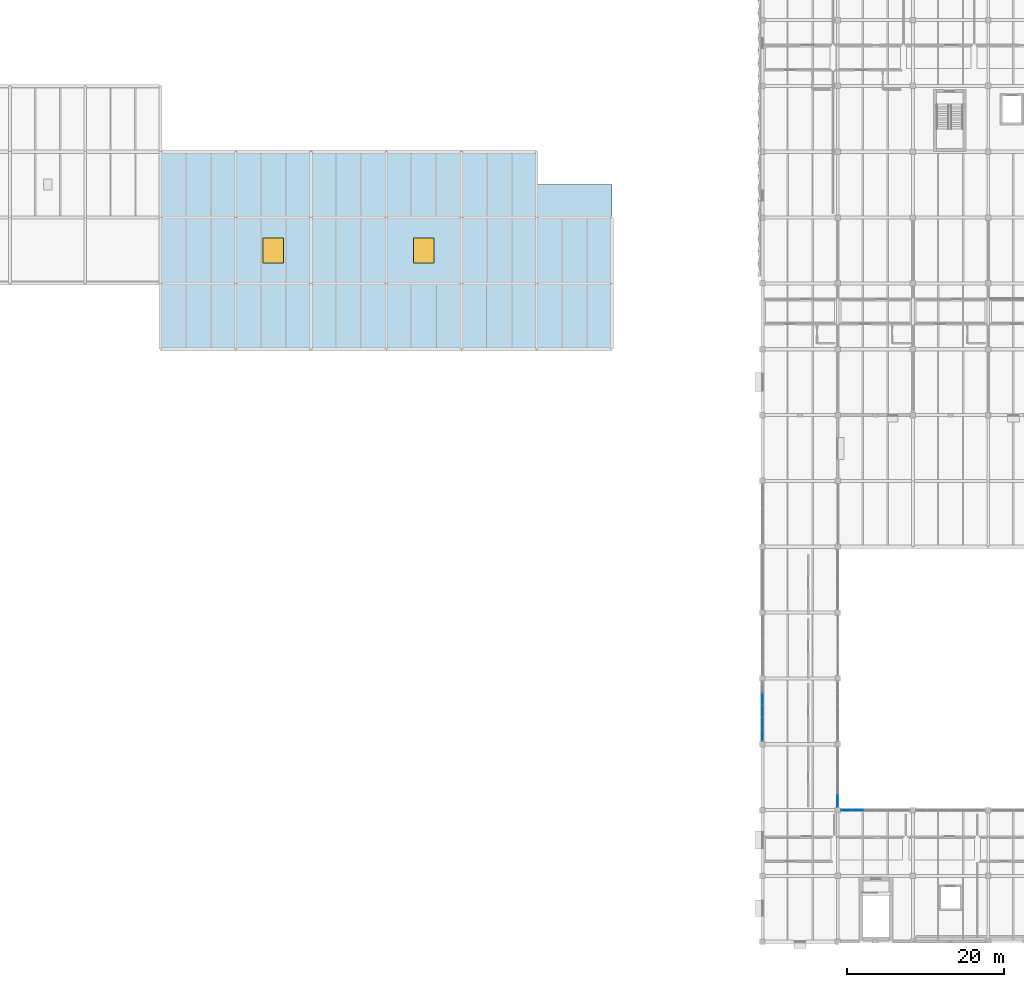
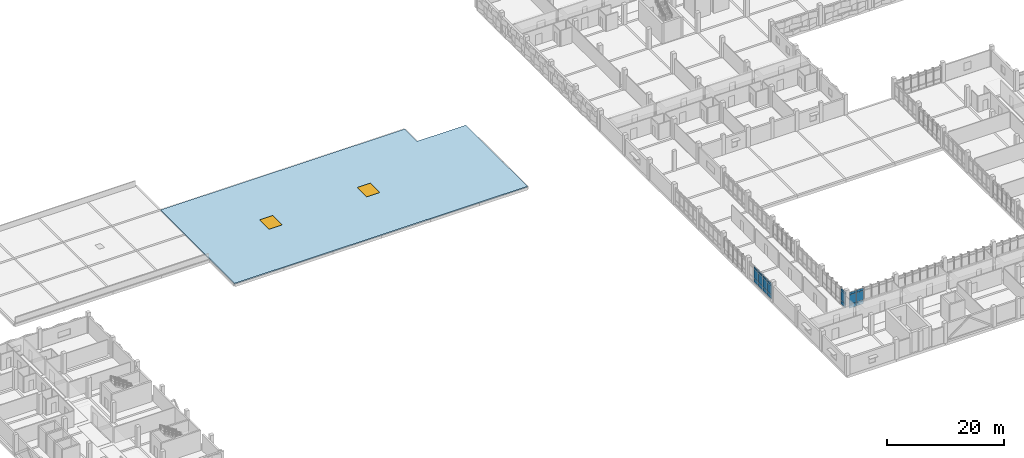
# One storey, part 25 of 57: 21 plates, 2 windows, 1 slab, 2 openings, 4 elements without a shape of their own.
"""IFC4 building model written with IfcOpenShell, lengths in metres."""

from ifc_helpers import new_model, si_unit, direction, frame, origin, origin_2d, place, context, subcontext, project, spatial, polyline, rectangle, outline, extrude, material, layer, layer_set, type_object, element, fill, aggregate, save


model = new_model("IFC4")

# Units and contexts
model_context = context("Model", 3, precision=1e-05, world=origin(), true_north=direction((0.0, 1.0)))
body_context = subcontext(model_context, "Body", "Model", "MODEL_VIEW")
ifc_project = project(units=[si_unit("LENGTHUNIT", "METRE"), si_unit("AREAUNIT", "SQUARE_METRE"), si_unit("VOLUMEUNIT", "CUBIC_METRE"), si_unit("PLANEANGLEUNIT", "RADIAN"), si_unit("MASSUNIT", "GRAM", prefix="KILO")], contexts=[model_context])

# Site, building, storey
site_placement = place(None, origin())
site = spatial("IfcSite", under=ifc_project, at=site_placement, CompositionType="ELEMENT")
building_placement = place(site_placement, origin())
building = spatial("IfcBuilding", under=site, at=building_placement, Name="Oolite Switchyard Hospital", CompositionType="ELEMENT")
storey_placement = place(building_placement, frame((0.0, 0.0, 17.800048828125)))
storey = spatial("IfcBuildingStorey", under=building, at=storey_placement, Name="L04", CompositionType="ELEMENT", Elevation=17.800048828125)

# Curtain wall, plates
ifc_material_1 = material(Name="Thermally broken aluminum frame with laminated impact glazing", Category="aluminium")
curtain_wall_type_1 = type_object("IfcCurtainWallType", Name="CW-UNIT-84X42", PredefinedType="USERDEFINED", material=ifc_material_1)
curtain_wall_1_placement = place(storey_placement, origin())
curtain_wall_1 = element("IfcCurtainWall", 1, at=curtain_wall_1_placement, inside=storey, type_object=curtain_wall_type_1, Name="L04 Unitised Curtain Wall 368", ObjectType="UNITISED", PredefinedType="USERDEFINED")
ifc_material_2 = material(Name="Insulated fluoropolymer-coated aluminum spandrel panel", Category="aluminium")
ifc_layer_1 = layer(ifc_material_2, 0.054931640625)
ifc_layer_set_1 = layer_set([ifc_layer_1], Name="CW-PNL-SPN55")
plate_type_1 = type_object("IfcPlateType", Name="CW-PNL-SPN55", PredefinedType="CURTAIN_PANEL", material=ifc_layer_set_1)
plate_1_placement = place(storey_placement, frame((144.0, 26.346923828125, 0.06005859375), z_axis=(0.0, 0.0, 1.0), x_axis=(0.0, -1.0, 0.0)))
plate_1 = element("IfcPlate", 2, at=plate_1_placement, type_object=plate_type_1, Name="CW-10 panel 5.1", PredefinedType="CURTAIN_PANEL", context=body_context, shape_type="SweptSolid", body=[
    extrude(rectangle(XDim=1.444091796875, YDim=0.054931640625, at=origin_2d()), origin(), (0.0, 0.0, 1.0), 0.760009765625),
])
plate_2_placement = place(storey_placement, frame((144.0, 26.346923828125, 0.8798828125), z_axis=(0.0, 0.0, 1.0), x_axis=(0.0, -1.0, 0.0)))
plate_2 = element("IfcPlate", 3, at=plate_2_placement, type_object=plate_type_1, Name="CW-10 panel 5.2", PredefinedType="CURTAIN_PANEL", context=body_context, shape_type="SweptSolid", body=[
    extrude(rectangle(XDim=1.444091796875, YDim=0.054931640625, at=origin_2d()), origin(), (0.0, 0.0, 1.0), 1.929931640625),
])
plate_3_placement = place(storey_placement, frame((144.0, 26.346923828125, 2.869873046875), z_axis=(0.0, 0.0, 1.0), x_axis=(0.0, -1.0, 0.0)))
plate_3 = element("IfcPlate", 4, at=plate_3_placement, type_object=plate_type_1, Name="CW-10 panel 5.3", PredefinedType="CURTAIN_PANEL", context=body_context, shape_type="SweptSolid", body=[
    extrude(rectangle(XDim=1.444091796875, YDim=0.054931640625, at=origin_2d()), origin(), (0.0, 0.0, 1.0), 0.4599609375),
])
aggregate(curtain_wall_1, [plate_1, plate_2, plate_3])

curtain_wall_type_2 = type_object("IfcCurtainWallType", Name="CW-UNIT-96X42", PredefinedType="USERDEFINED", material=ifc_material_1)
curtain_wall_2_placement = place(storey_placement, origin())
curtain_wall_2 = element("IfcCurtainWall", 5, at=curtain_wall_2_placement, inside=storey, type_object=curtain_wall_type_2, Name="L04 Unitised Curtain Wall 358", ObjectType="UNITISED", PredefinedType="USERDEFINED")
ifc_layer_2 = layer(ifc_material_2, 0.070068359375)
ifc_layer_set_2 = layer_set([ifc_layer_2], Name="CW-PNL-SPN70")
plate_type_2 = type_object("IfcPlateType", Name="CW-PNL-SPN70", PredefinedType="CURTAIN_PANEL", material=ifc_layer_set_2)
plate_4_placement = place(storey_placement, frame((145.122802734375, 25.199951171875, 0.06005859375), z_axis=(0.0, 0.0, 1.0), x_axis=(1.0, 0.0, 0.0)))
plate_4 = element("IfcPlate", 6, at=plate_4_placement, type_object=plate_type_2, Name="CW-05 panel 1.1", PredefinedType="CURTAIN_PANEL", context=body_context, shape_type="SweptSolid", body=[
    extrude(rectangle(XDim=1.36572265625, YDim=0.070068359375, at=origin_2d()), origin(), (0.0, 0.0, 1.0), 0.760009765625),
])
plate_5_placement = place(storey_placement, frame((145.122802734375, 25.199951171875, 0.8798828125), z_axis=(0.0, 0.0, 1.0), x_axis=(1.0, 0.0, 0.0)))
plate_5 = element("IfcPlate", 7, at=plate_5_placement, type_object=plate_type_2, Name="CW-05 panel 1.2", PredefinedType="CURTAIN_PANEL", context=body_context, shape_type="SweptSolid", body=[
    extrude(rectangle(XDim=1.36572265625, YDim=0.070068359375, at=origin_2d()), origin(), (0.0, 0.0, 1.0), 1.929931640625),
])
plate_6_placement = place(storey_placement, frame((145.122802734375, 25.199951171875, 2.869873046875), z_axis=(0.0, 0.0, 1.0), x_axis=(1.0, 0.0, 0.0)))
plate_6 = element("IfcPlate", 8, at=plate_6_placement, type_object=plate_type_2, Name="CW-05 panel 1.3", PredefinedType="CURTAIN_PANEL", context=body_context, shape_type="SweptSolid", body=[
    extrude(rectangle(XDim=1.36572265625, YDim=0.070068359375, at=origin_2d()), origin(), (0.0, 0.0, 1.0), 0.4599609375),
])
plate_7_placement = place(storey_placement, frame((146.58251953125, 25.199951171875, 0.06005859375), z_axis=(0.0, 0.0, 1.0), x_axis=(1.0, 0.0, 0.0)))
plate_7 = element("IfcPlate", 9, at=plate_7_placement, type_object=plate_type_2, Name="CW-05 panel 2.1", PredefinedType="CURTAIN_PANEL", context=body_context, shape_type="SweptSolid", body=[
    extrude(rectangle(XDim=1.4033203125, YDim=0.070068359375, at=origin_2d()), origin(), (0.0, 0.0, 1.0), 0.760009765625),
])
plate_8_placement = place(storey_placement, frame((146.58251953125, 25.199951171875, 0.8798828125), z_axis=(0.0, 0.0, 1.0), x_axis=(1.0, 0.0, 0.0)))
plate_8 = element("IfcPlate", 10, at=plate_8_placement, type_object=plate_type_2, Name="CW-05 panel 2.2", PredefinedType="CURTAIN_PANEL", context=body_context, shape_type="SweptSolid", body=[
    extrude(rectangle(XDim=1.4033203125, YDim=0.070068359375, at=origin_2d()), origin(), (0.0, 0.0, 1.0), 1.929931640625),
])
plate_9_placement = place(storey_placement, frame((146.58251953125, 25.199951171875, 2.869873046875), z_axis=(0.0, 0.0, 1.0), x_axis=(1.0, 0.0, 0.0)))
plate_9 = element("IfcPlate", 11, at=plate_9_placement, type_object=plate_type_2, Name="CW-05 panel 2.3", PredefinedType="CURTAIN_PANEL", context=body_context, shape_type="SweptSolid", body=[
    extrude(rectangle(XDim=1.4033203125, YDim=0.070068359375, at=origin_2d()), origin(), (0.0, 0.0, 1.0), 0.4599609375),
])
aggregate(curtain_wall_2, [plate_4, plate_5, plate_6, plate_7, plate_8, plate_9])

curtain_wall_3_placement = place(storey_placement, origin())
curtain_wall_3 = element("IfcCurtainWall", 12, at=curtain_wall_3_placement, inside=storey, type_object=curtain_wall_type_1, Name="L04 Unitised Curtain Wall 364", ObjectType="UNITISED", PredefinedType="USERDEFINED")
ifc_material_3 = material(Name="Laminated hurricane-impact insulated glazing unit", Category="glass")
ifc_layer_3 = layer(ifc_material_3, 0.0419921875)
ifc_layer_set_3 = layer_set([ifc_layer_3], Name="CW-PNL-VIS42")
plate_type_3 = type_object("IfcPlateType", Name="CW-PNL-VIS42", PredefinedType="CURTAIN_PANEL", material=ifc_layer_set_3)
plate_10_placement = place(storey_placement, frame((134.39990234375, 34.750732421875, 0.06005859375), z_axis=(0.0, 0.0, 1.0), x_axis=(0.0, 1.0, 0.0)))
plate_10 = element("IfcPlate", 13, at=plate_10_placement, type_object=plate_type_3, Name="CW-10 panel 1.1", PredefinedType="CURTAIN_PANEL", context=body_context, shape_type="SweptSolid", body=[
    extrude(rectangle(XDim=1.42138671875, YDim=0.0419921875, at=origin_2d()), origin(), (0.0, 0.0, 1.0), 0.760009765625),
])
plate_11_placement = place(storey_placement, frame((134.39990234375, 34.750732421875, 0.8798828125), z_axis=(0.0, 0.0, 1.0), x_axis=(0.0, 1.0, 0.0)))
plate_11 = element("IfcPlate", 14, at=plate_11_placement, type_object=plate_type_3, Name="CW-10 panel 1.2", PredefinedType="CURTAIN_PANEL", context=body_context, shape_type="SweptSolid", body=[
    extrude(rectangle(XDim=1.42138671875, YDim=0.0419921875, at=origin_2d()), origin(), (0.0, 0.0, 1.0), 1.929931640625),
])
plate_12_placement = place(storey_placement, frame((134.39990234375, 34.750732421875, 2.869873046875), z_axis=(0.0, 0.0, 1.0), x_axis=(0.0, 1.0, 0.0)))
plate_12 = element("IfcPlate", 15, at=plate_12_placement, type_object=plate_type_3, Name="CW-10 panel 1.3", PredefinedType="CURTAIN_PANEL", context=body_context, shape_type="SweptSolid", body=[
    extrude(rectangle(XDim=1.42138671875, YDim=0.0419921875, at=origin_2d()), origin(), (0.0, 0.0, 1.0), 0.4599609375),
])
plate_13_placement = place(storey_placement, frame((134.39990234375, 36.26611328125, 0.06005859375), z_axis=(0.0, 0.0, 1.0), x_axis=(0.0, 1.0, 0.0)))
plate_13 = element("IfcPlate", 16, at=plate_13_placement, type_object=plate_type_3, Name="CW-10 panel 2.1", PredefinedType="CURTAIN_PANEL", context=body_context, shape_type="SweptSolid", body=[
    extrude(rectangle(XDim=1.458984375, YDim=0.0419921875, at=origin_2d()), origin(), (0.0, 0.0, 1.0), 0.760009765625),
])
plate_14_placement = place(storey_placement, frame((134.39990234375, 36.26611328125, 0.8798828125), z_axis=(0.0, 0.0, 1.0), x_axis=(0.0, 1.0, 0.0)))
plate_14 = element("IfcPlate", 17, at=plate_14_placement, type_object=plate_type_3, Name="CW-10 panel 2.2", PredefinedType="CURTAIN_PANEL", context=body_context, shape_type="SweptSolid", body=[
    extrude(rectangle(XDim=1.458984375, YDim=0.0419921875, at=origin_2d()), origin(), (0.0, 0.0, 1.0), 1.929931640625),
])
plate_15_placement = place(storey_placement, frame((134.39990234375, 36.26611328125, 2.869873046875), z_axis=(0.0, 0.0, 1.0), x_axis=(0.0, 1.0, 0.0)))
plate_15 = element("IfcPlate", 18, at=plate_15_placement, type_object=plate_type_3, Name="CW-10 panel 2.3", PredefinedType="CURTAIN_PANEL", context=body_context, shape_type="SweptSolid", body=[
    extrude(rectangle(XDim=1.458984375, YDim=0.0419921875, at=origin_2d()), origin(), (0.0, 0.0, 1.0), 0.4599609375),
])
plate_16_placement = place(storey_placement, frame((134.39990234375, 37.800048828125, 0.06005859375), z_axis=(0.0, 0.0, 1.0), x_axis=(0.0, 1.0, 0.0)))
plate_16 = element("IfcPlate", 19, at=plate_16_placement, type_object=plate_type_3, Name="CW-10 panel 3.1", PredefinedType="CURTAIN_PANEL", context=body_context, shape_type="SweptSolid", body=[
    extrude(rectangle(XDim=1.458984375, YDim=0.0419921875, at=origin_2d()), origin(), (0.0, 0.0, 1.0), 0.760009765625),
])
plate_17_placement = place(storey_placement, frame((134.39990234375, 37.800048828125, 0.8798828125), z_axis=(0.0, 0.0, 1.0), x_axis=(0.0, 1.0, 0.0)))
plate_17 = element("IfcPlate", 20, at=plate_17_placement, type_object=plate_type_3, Name="CW-10 panel 3.2", PredefinedType="CURTAIN_PANEL", context=body_context, shape_type="SweptSolid", body=[
    extrude(rectangle(XDim=1.458984375, YDim=0.0419921875, at=origin_2d()), origin(), (0.0, 0.0, 1.0), 1.929931640625),
])
plate_18_placement = place(storey_placement, frame((134.39990234375, 37.800048828125, 2.869873046875), z_axis=(0.0, 0.0, 1.0), x_axis=(0.0, 1.0, 0.0)))
plate_18 = element("IfcPlate", 21, at=plate_18_placement, type_object=plate_type_3, Name="CW-10 panel 3.3", PredefinedType="CURTAIN_PANEL", context=body_context, shape_type="SweptSolid", body=[
    extrude(rectangle(XDim=1.458984375, YDim=0.0419921875, at=origin_2d()), origin(), (0.0, 0.0, 1.0), 0.4599609375),
])
plate_19_placement = place(storey_placement, frame((134.39990234375, 39.333984375, 0.06005859375), z_axis=(0.0, 0.0, 1.0), x_axis=(0.0, 1.0, 0.0)))
plate_19 = element("IfcPlate", 22, at=plate_19_placement, type_object=plate_type_3, Name="CW-10 panel 4.1", PredefinedType="CURTAIN_PANEL", context=body_context, shape_type="SweptSolid", body=[
    extrude(rectangle(XDim=1.458984375, YDim=0.0419921875, at=origin_2d()), origin(), (0.0, 0.0, 1.0), 0.760009765625),
])
plate_20_placement = place(storey_placement, frame((134.39990234375, 39.333984375, 0.8798828125), z_axis=(0.0, 0.0, 1.0), x_axis=(0.0, 1.0, 0.0)))
plate_20 = element("IfcPlate", 23, at=plate_20_placement, type_object=plate_type_3, Name="CW-10 panel 4.2", PredefinedType="CURTAIN_PANEL", context=body_context, shape_type="SweptSolid", body=[
    extrude(rectangle(XDim=1.458984375, YDim=0.0419921875, at=origin_2d()), origin(), (0.0, 0.0, 1.0), 1.929931640625),
])
plate_21_placement = place(storey_placement, frame((134.39990234375, 39.333984375, 2.869873046875), z_axis=(0.0, 0.0, 1.0), x_axis=(0.0, 1.0, 0.0)))
plate_21 = element("IfcPlate", 24, at=plate_21_placement, type_object=plate_type_3, Name="CW-10 panel 4.3", PredefinedType="CURTAIN_PANEL", context=body_context, shape_type="SweptSolid", body=[
    extrude(rectangle(XDim=1.458984375, YDim=0.0419921875, at=origin_2d()), origin(), (0.0, 0.0, 1.0), 0.4599609375),
])
aggregate(curtain_wall_3, [plate_10, plate_11, plate_12, plate_13, plate_14, plate_15, plate_16, plate_17, plate_18, plate_19, plate_20, plate_21])

# Roof, slab, openings, windows
ifc_material_4 = material(Name="Concrete C40/50", Category="concrete")
roof_type = type_object("IfcRoofType", Name="ROOF-FLAT", PredefinedType="FLAT_ROOF", material=ifc_material_4)
roof_placement = place(storey_placement, origin())
roof = element("IfcRoof", 25, at=roof_placement, inside=storey, type_object=roof_type, Name="L04 Flat Cool Roof Assembly", PredefinedType="FLAT_ROOF")
ifc_layer_4 = layer(ifc_material_4, 0.219970703125)
ifc_layer_set_4 = layer_set([ifc_layer_4], Name="SLB-ROOF-220")
slab_type = type_object("IfcSlabType", Name="SLB-ROOF-220", PredefinedType="ROOF", material=ifc_layer_set_4)
slab_placement = place(storey_placement, frame((0.0, 0.0, -0.219970703125)))
slab = element("IfcSlab", 26, at=slab_placement, type_object=slab_type, Name="L04 V4 Slab V4RR", PredefinedType="ROOF", context=body_context, shape_type="SweptSolid", body=[
    extrude(outline(polyline([(57.60009765625, 84.0), (115.199951171875, 84.0), (115.199951171875, 105.0), (105.60009765625, 105.0), (105.60009765625, 109.199951171875), (57.60009765625, 109.199951171875), (57.60009765625, 84.0)])), origin(), (0.0, 0.0, 1.0), 0.219970703125),
])
opening_1_placement = place(slab_placement, frame((72.0, 96.60009765625, 0.0)))
opening_1 = element("IfcOpeningElement", 27, at=opening_1_placement, cuts=slab, Name="Opening SKY-007", PredefinedType="OPENING", context=body_context, shape_type="SweptSolid", body=[
    extrude(rectangle(XDim=2.60009765625, YDim=3.199951171875, at=origin_2d()), frame((0.0, 0.0, -0.010009765625), z_axis=(0.0, 0.0, 1.0), x_axis=(1.0, 0.0, 0.0)), (0.0, 0.0, 1.0), 0.239990234375),
])
opening_2_placement = place(slab_placement, frame((91.199951171875, 96.60009765625, 0.0)))
opening_2 = element("IfcOpeningElement", 28, at=opening_2_placement, cuts=slab, Name="Opening SKY-008", PredefinedType="OPENING", context=body_context, shape_type="SweptSolid", body=[
    extrude(rectangle(XDim=2.60009765625, YDim=3.199951171875, at=origin_2d()), frame((0.0, 0.0, -0.010009765625), z_axis=(0.0, 0.0, 1.0), x_axis=(1.0, 0.0, 0.0)), (0.0, 0.0, 1.0), 0.239990234375),
])
window_type = type_object("IfcWindowType", Name="SKY-260X320", PartitioningType="SINGLE_PANEL", PredefinedType="SKYLIGHT", material=ifc_material_1)
window_1_placement = place(opening_1_placement, frame((0.0, 0.0, 0.169921875)))
window_1 = element("IfcWindow", 29, at=window_1_placement, inside=storey, type_object=window_type, Name="L04 Hurricane Roof Skylight SKY-007", OverallHeight=3.199951171875, OverallWidth=2.60009765625, PartitioningType="SINGLE_PANEL", PredefinedType="SKYLIGHT", context=body_context, shape_type="SweptSolid", body=[
    extrude(rectangle(XDim=2.60009765625, YDim=3.199951171875, at=origin_2d()), origin(), (0.0, 0.0, 1.0), 0.050048828125),
])
fill(opening_1, window_1)
window_2_placement = place(opening_2_placement, frame((0.0, 0.0, 0.169921875)))
window_2 = element("IfcWindow", 30, at=window_2_placement, inside=storey, type_object=window_type, Name="L04 Hurricane Roof Skylight SKY-008", OverallHeight=3.199951171875, OverallWidth=2.60009765625, PartitioningType="SINGLE_PANEL", PredefinedType="SKYLIGHT", context=body_context, shape_type="SweptSolid", body=[
    extrude(rectangle(XDim=2.60009765625, YDim=3.199951171875, at=origin_2d()), origin(), (0.0, 0.0, 1.0), 0.050048828125),
])
fill(opening_2, window_2)
aggregate(roof, [slab])

save(model, "model.ifc")
